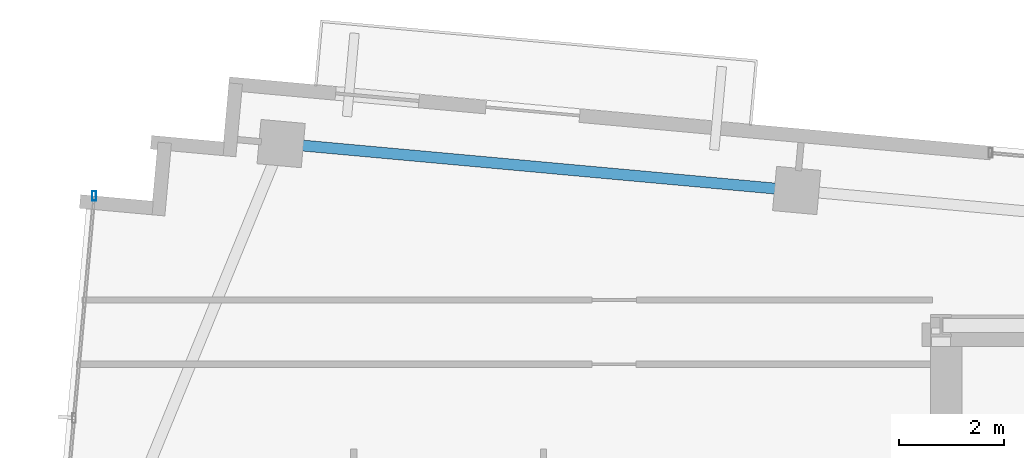
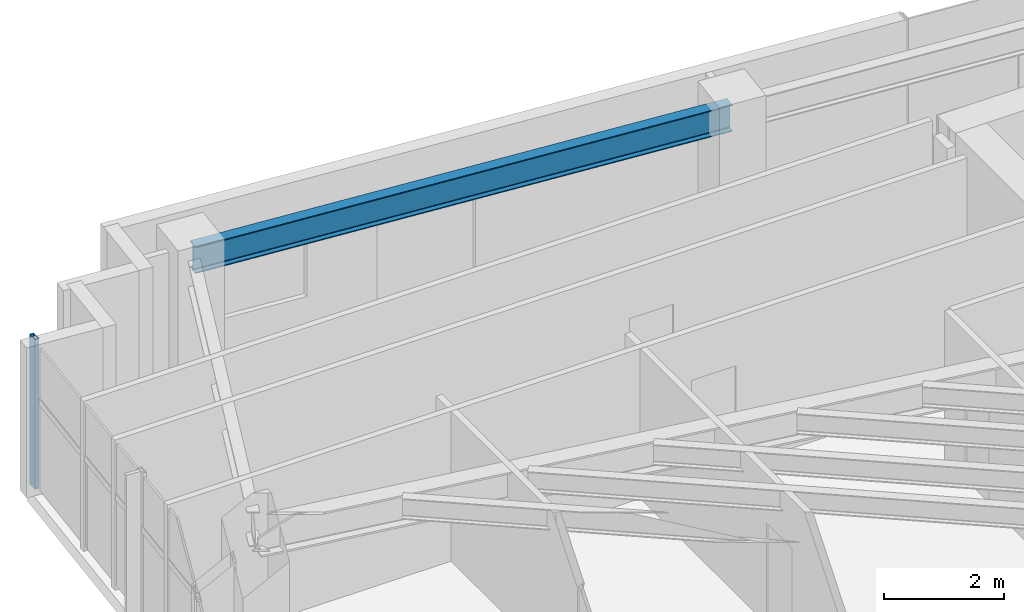
# One storey, part 9 of 22: 1 beam, 1 member, 1 element without a shape of its own.
"""IFC4 building model written with IfcOpenShell, lengths in metres."""

import ifcopenshell
import ifcopenshell.guid

model = None  # the IFC model being written
_history = None  # IfcOwnerHistory: only IFC2X3 demands one
_inside = {}  # id of a spatial element -> (the spatial element, [elements in it])
_under = {}  # id of a project, library or spatial element -> (it, [spatial elements below it])
_declared = {}  # id of a project -> (the project, [libraries it declares])
_typed = {}  # id of a type object -> (the type object, [elements of that type])
_made_of = {}  # id of a material, layer set ... -> (it, [elements and type objects made of it])


def new_model(schema):
    """Start an empty IFC model of exactly this schema.

    Asked for "IFC4X3", IfcOpenShell would pick the latest addendum, in which some entities
    have other attributes; the version numbers below select the first issue.
    IFC2X3 requires an IfcOwnerHistory on every rooted entity: one is made here for all.
    """
    global model, _history
    if schema == "IFC4X3":
        model = ifcopenshell.file(schema_version=(4, 3, 0, 0))
    else:
        model = ifcopenshell.file(schema=schema)
    _inside.clear()
    _under.clear()
    _declared.clear()
    _typed.clear()
    _made_of.clear()
    _history = None
    if model.schema == "IFC2X3":
        org = make("IfcOrganization", Name="unknown")
        user = make(
            "IfcPersonAndOrganization",
            ThePerson=make("IfcPerson", FamilyName="unknown"),
            TheOrganization=org,
        )
        app = make(
            "IfcApplication",
            ApplicationDeveloper=org,
            Version="unknown",
            ApplicationFullName="unknown",
            ApplicationIdentifier="unknown",
        )
        _history = make(
            "IfcOwnerHistory",
            OwningUser=user,
            OwningApplication=app,
            ChangeAction="ADDED",
            CreationDate=0,
        )
    return model


def make(cls, **values):
    """One entity of the class cls with the attributes given. An attribute that is None is left unset."""
    return model.create_entity(
        cls, **{name: value for name, value in values.items() if value is not None}
    )


def rooted(cls, **values):
    """An entity with a GlobalId (a new one), such as an element, a storey or a relation."""
    return make(cls, GlobalId=ifcopenshell.guid.new(), OwnerHistory=_history, **values)


def si_unit(unit_type, name, prefix=None):
    """IfcSIUnit, for example si_unit("LENGTHUNIT", "METRE", prefix="MILLI")."""
    return make("IfcSIUnit", UnitType=unit_type, Prefix=prefix, Name=name)


def assignment(units):
    """IfcUnitAssignment: the units of a project."""
    return None if units is None else make("IfcUnitAssignment", Units=units)


def point(xyz):
    """IfcCartesianPoint."""
    return None if xyz is None else make("IfcCartesianPoint", Coordinates=xyz)


def direction(xyz):
    """IfcDirection."""
    return None if xyz is None else make("IfcDirection", DirectionRatios=xyz)


def frame(location, z_axis=None, x_axis=None):
    """IfcAxis2Placement3D, a coordinate frame: its origin and axes. An axis left out is left unset."""
    return make(
        "IfcAxis2Placement3D",
        Location=point(location),
        Axis=direction(z_axis),
        RefDirection=direction(x_axis),
    )


def frame_2d(location, x_axis=None):
    """IfcAxis2Placement2D, a coordinate frame in the plane: its origin and x axis."""
    return make(
        "IfcAxis2Placement2D", Location=point(location), RefDirection=direction(x_axis)
    )


def origin():
    """The frame at (0, 0, 0) with its axes left unset."""
    return frame((0.0, 0.0, 0.0))


def origin_2d():
    """The frame at (0, 0) in the plane with its x axis left unset."""
    return frame_2d((0.0, 0.0))


def place(relative_to, where):
    """IfcLocalPlacement: puts the frame where relative to a parent placement (None: the world)."""
    return make(
        "IfcLocalPlacement", PlacementRelTo=relative_to, RelativePlacement=where
    )


def context(
    kind, dimensions, precision=None, world=None, true_north=None, identifier=None
):
    """IfcGeometricRepresentationContext, for example the 3D "Model" context."""
    return make(
        "IfcGeometricRepresentationContext",
        ContextIdentifier=identifier,
        ContextType=kind,
        CoordinateSpaceDimension=dimensions,
        Precision=precision,
        WorldCoordinateSystem=world,
        TrueNorth=true_north,
    )


def subcontext(parent, identifier, kind, view, scale=None):
    """IfcGeometricRepresentationSubContext, for example "Body" below "Model"."""
    return make(
        "IfcGeometricRepresentationSubContext",
        ContextIdentifier=identifier,
        ContextType=kind,
        ParentContext=parent,
        TargetScale=scale,
        TargetView=view,
    )


def project(units=None, contexts=None):
    """IfcProject with its units and contexts."""
    return rooted(
        "IfcProject",
        Name="project",
        RepresentationContexts=contexts,
        UnitsInContext=assignment(units),
    )


def spatial(cls, under=None, at=None, **own):
    """A site, building, storey or space (cls), placed at a placement, below another one or the project."""
    s = rooted(cls, ObjectPlacement=at, **own)
    if under is not None:
        _under.setdefault(under.id(), (under, []))[1].append(s)
    return s


def profile(cls, at=None, kind="AREA", **sizes):
    """A parametric profile (cls). Its sizes go by their IFC names, for example OverallWidth=200.0."""
    return make(cls, ProfileType=kind, Position=at, **sizes)


def hollow_rectangle(**sizes):
    """IfcRectangleHollowProfileDef."""
    return profile("IfcRectangleHollowProfileDef", **sizes)


def i_section(**sizes):
    """IfcIShapeProfileDef."""
    return profile("IfcIShapeProfileDef", **sizes)


def extrude(swept, where, along, depth):
    """IfcExtrudedAreaSolid: the profile swept, set in the frame where, extruded along a direction by depth."""
    return make(
        "IfcExtrudedAreaSolid",
        SweptArea=swept,
        Position=where,
        ExtrudedDirection=direction(along),
        Depth=depth,
    )


def shape(context_of_items, identifier, shape_type, items):
    """IfcShapeRepresentation: the items that make up one representation, for example the "Body"."""
    return make(
        "IfcShapeRepresentation",
        ContextOfItems=context_of_items,
        RepresentationIdentifier=identifier,
        RepresentationType=shape_type,
        Items=items,
    )


def source(mapping_origin, context_of_items, identifier, shape_type, items):
    """IfcRepresentationMap: a shape defined once, which mapped items show again and again."""
    return make(
        "IfcRepresentationMap",
        MappingOrigin=mapping_origin,
        MappedRepresentation=shape(context_of_items, identifier, shape_type, items),
    )


def transform(
    local_origin,
    x_axis=None,
    y_axis=None,
    z_axis=None,
    scale=None,
    scale2=None,
    scale3=None,
    uniform=True,
):
    """IfcCartesianTransformationOperator3D, or its non-uniform kind. x_axis, y_axis, z_axis: its Axis1, 2, 3."""
    if uniform:
        return make(
            "IfcCartesianTransformationOperator3D",
            Axis1=direction(x_axis),
            Axis2=direction(y_axis),
            LocalOrigin=point(local_origin),
            Scale=scale,
            Axis3=direction(z_axis),
        )
    return make(
        "IfcCartesianTransformationOperator3DnonUniform",
        Axis1=direction(x_axis),
        Axis2=direction(y_axis),
        LocalOrigin=point(local_origin),
        Scale=scale,
        Axis3=direction(z_axis),
        Scale2=scale2,
        Scale3=scale3,
    )


def mapped(mapping_source, mapping_target):
    """IfcMappedItem: shows the shape of a source again, moved by a transform."""
    return make(
        "IfcMappedItem", MappingSource=mapping_source, MappingTarget=mapping_target
    )


def material(Name=None, Category=None):
    """IfcMaterial."""
    return make("IfcMaterial", Name=Name, Category=Category)


def material_profile(
    of_material, cross_section, Name=None, Category=None, Priority=None
):
    """IfcMaterialProfile: a cross section and its material."""
    return make(
        "IfcMaterialProfile",
        Name=Name,
        Material=of_material,
        Profile=cross_section,
        Priority=Priority,
        Category=Category,
    )


def profile_set(profiles, Name=None, composite=None):
    """IfcMaterialProfileSet."""
    return make(
        "IfcMaterialProfileSet",
        Name=Name,
        MaterialProfiles=profiles,
        CompositeProfile=composite,
    )


def made_of(thing, what):
    """Note that an element or type object is made of a material, layer set ...; save() writes the relation."""
    if what is not None:
        _made_of.setdefault(what.id(), (what, []))[1].append(thing)
    return thing


def type_object(cls, material=None, **own):
    """A type object (cls), such as IfcWallType, which elements share."""
    return made_of(rooted(cls, **own), material)


def type_shapes(of_type, sources):
    """Give a type object the sources (RepresentationMaps) that its elements show as mapped items."""
    of_type.RepresentationMaps = sources


def element(
    cls,
    number,
    at=None,
    inside=None,
    cuts=None,
    type_object=None,
    material=None,
    context=None,
    identifier="Body",
    shape_type=None,
    held_by="IfcProductDefinitionShape",
    body=None,
    shapes=None,
    **own,
):
    """One element of the class cls, such as IfcWall. Its Tag is "e" and its number.

    at: its placement. inside: the storey or other place that contains it. cuts: it is an
    opening in that element (IfcRelVoidsElement). A single representation is given by context,
    identifier, shape_type and body (its items); several are given by shapes. held_by: the class
    of the entity that holds the representations. save() writes the other relations.
    """
    e = rooted(cls, Tag="e%d" % number, ObjectPlacement=at, **own)
    if body is not None:
        shapes = [shape(context, identifier, shape_type, body)]
    if shapes is not None:
        e.Representation = make(held_by, Representations=shapes)
    if inside is not None:
        _inside.setdefault(inside.id(), (inside, []))[1].append(e)
    if cuts is not None:
        rooted(
            "IfcRelVoidsElement", RelatingBuildingElement=cuts, RelatedOpeningElement=e
        )
    if type_object is not None:
        _typed.setdefault(type_object.id(), (type_object, []))[1].append(e)
    return made_of(e, material)


def aggregate(whole, parts):
    """IfcRelAggregates: a whole, such as a stair, and the parts it consists of."""
    return rooted("IfcRelAggregates", RelatingObject=whole, RelatedObjects=parts)


def save(model, path):
    """Write the relations noted so far, then the file.

    IfcRelAggregates (storeys below a building ...), IfcRelContainedInSpatialStructure (elements
    in a storey), IfcRelDefinesByType, IfcRelAssociatesMaterial and IfcRelDeclares: one each for
    every whole, place, type object, material and project.
    """
    for whole, parts in _under.values():
        aggregate(whole, parts)
    for where, things in _inside.values():
        rooted(
            "IfcRelContainedInSpatialStructure",
            RelatedElements=things,
            RelatingStructure=where,
        )
    for kind, things in _typed.values():
        rooted("IfcRelDefinesByType", RelatedObjects=things, RelatingType=kind)
    for what, things in _made_of.values():
        rooted("IfcRelAssociatesMaterial", RelatedObjects=things, RelatingMaterial=what)
    for by, libraries in _declared.values():
        rooted("IfcRelDeclares", RelatingContext=by, RelatedDefinitions=libraries)
    model.write(path)


model = new_model("IFC4")

# Units and contexts
model_context = context("Model", 3, precision=1e-05, world=origin(), true_north=direction((0.0, 1.0)))
body_context = subcontext(model_context, "Body", "Model", "MODEL_VIEW")
ifc_project = project(units=[si_unit("LENGTHUNIT", "METRE"), si_unit("AREAUNIT", "SQUARE_METRE"), si_unit("VOLUMEUNIT", "CUBIC_METRE"), si_unit("PLANEANGLEUNIT", "RADIAN"), si_unit("MASSUNIT", "GRAM", prefix="KILO")], contexts=[model_context])

# Site, building, storey
site_placement = place(None, origin())
site = spatial("IfcSite", under=ifc_project, at=site_placement, CompositionType="ELEMENT")
building_placement = place(site_placement, origin())
building = spatial("IfcBuilding", under=site, at=building_placement, Name="Astriad Promenade Condominiums", CompositionType="ELEMENT")
storey_placement = place(building_placement, frame((0.0, 0.0, 239.699951171875)))
storey = spatial("IfcBuildingStorey", under=building, at=storey_placement, Name="L69", CompositionType="ELEMENT", Elevation=239.699951171875)

# Beam
ifc_material_1 = material(Name="Steel ASTM A992 Grade 50", Category="steel")
ifc_material_profile_1 = material_profile(ifc_material_1, i_section(OverallWidth=0.210693359375, OverallDepth=0.53955078125, WebThickness=0.01171875, FlangeThickness=0.018798828125, FilletRadius=0.0166015625, at=origin_2d()), Name="W21X73")
ifc_profile_set_1 = profile_set([ifc_material_profile_1], Name="Steel ASTM A992 Grade 50")
beam_type = type_object("IfcBeamType", Name="STEEL SPANDREL BEAM W21X73", PredefinedType="SPANDREL", material=ifc_profile_set_1)
shared_shape_1 = source(origin(), body_context, "Body", "SweptSolid", [
    extrude(i_section(OverallWidth=0.210693359375, OverallDepth=0.53955078125, WebThickness=0.01171875, FlangeThickness=0.018798828125, FilletRadius=0.0166015625, at=origin_2d()), origin(), (0.0, 0.0, 1.0), 9.820068359375),
])
type_shapes(beam_type, [shared_shape_1])
beam_placement = place(storey_placement, frame((23.6005859375, 26.589111328125, 2.770263671875), z_axis=(-0.995883214993, 0.090645585088, 0.0), x_axis=(-0.090645585088, -0.995883214993, 0.0)))
element("IfcBeam", 1, at=beam_placement, inside=storey, type_object=beam_type, Name="Perimeter Spandrel Beam SP-N1-L69", PredefinedType="SPANDREL", context=body_context, shape_type="MappedRepresentation", body=[
    mapped(shared_shape_1, transform((0.0, 0.0, 0.0), scale=1.0)),
])

# Curtain wall, member
ifc_material_2 = material(Name="Anodised aluminium Black Dark Glass Unitised", Category="aluminium")
curtain_wall_type = type_object("IfcCurtainWallType", Name="CW-B5-DARK", PredefinedType="USERDEFINED", material=ifc_material_2)
curtain_wall_placement = place(storey_placement, origin())
curtain_wall = element("IfcCurtainWall", 2, at=curtain_wall_placement, inside=storey, type_object=curtain_wall_type, Name="CW-L69-W", ObjectType="UNITISED_CURTAIN_WALL", PredefinedType="USERDEFINED")
ifc_material_3 = material(Name="Anodised aluminium 6063-T6 Black", Category="aluminium")
ifc_material_profile_2 = material_profile(ifc_material_3, hollow_rectangle(XDim=0.074951171875, YDim=0.18505859375, WallThickness=0.00439453125, at=origin_2d()), Name="ALU-MUL-75X185")
ifc_profile_set_2 = profile_set([ifc_material_profile_2], Name="Anodised aluminium 6063-T6 Black")
member_type = type_object("IfcMemberType", Name="MUL-ALU-MUL-75X185", PredefinedType="MULLION", material=ifc_profile_set_2)
shared_shape_2 = source(origin(), body_context, "Body", "SweptSolid", [
    extrude(hollow_rectangle(XDim=0.074951171875, YDim=0.18505859375, WallThickness=0.00439453125, at=origin_2d()), origin(), (0.0, 0.0, 1.0), 3.0400390625),
])
type_shapes(member_type, [shared_shape_2])
member_placement = place(storey_placement, frame((10.205810546875, 26.482666015625, 0.0), z_axis=(0.0, 0.0, 1.0), x_axis=(1.0, 0.0, 0.0)))
member = element("IfcMember", 3, at=member_placement, type_object=member_type, Name="CW-L69-W-MUL-03", PredefinedType="MULLION", context=body_context, shape_type="MappedRepresentation", body=[
    mapped(shared_shape_2, transform((0.0, 0.0, 0.0), scale=1.0)),
])
aggregate(curtain_wall, [member])

save(model, "model.ifc")
